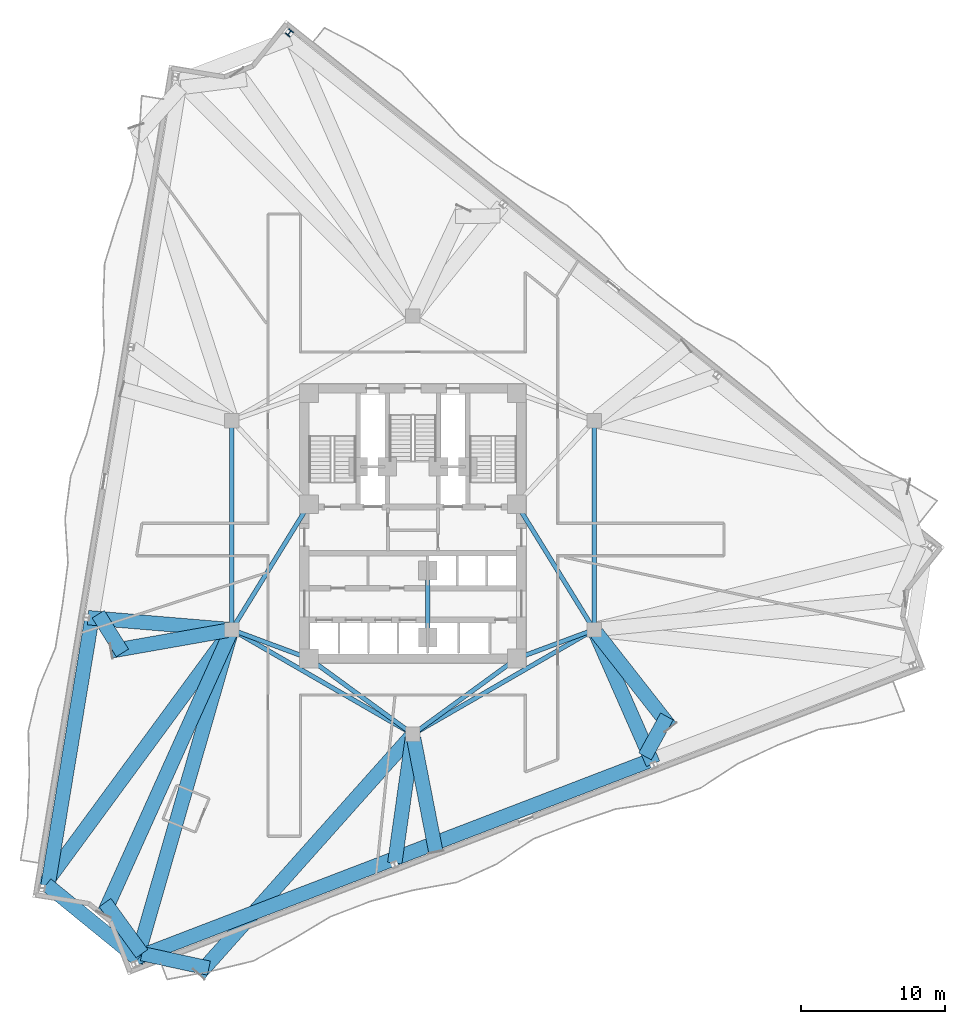
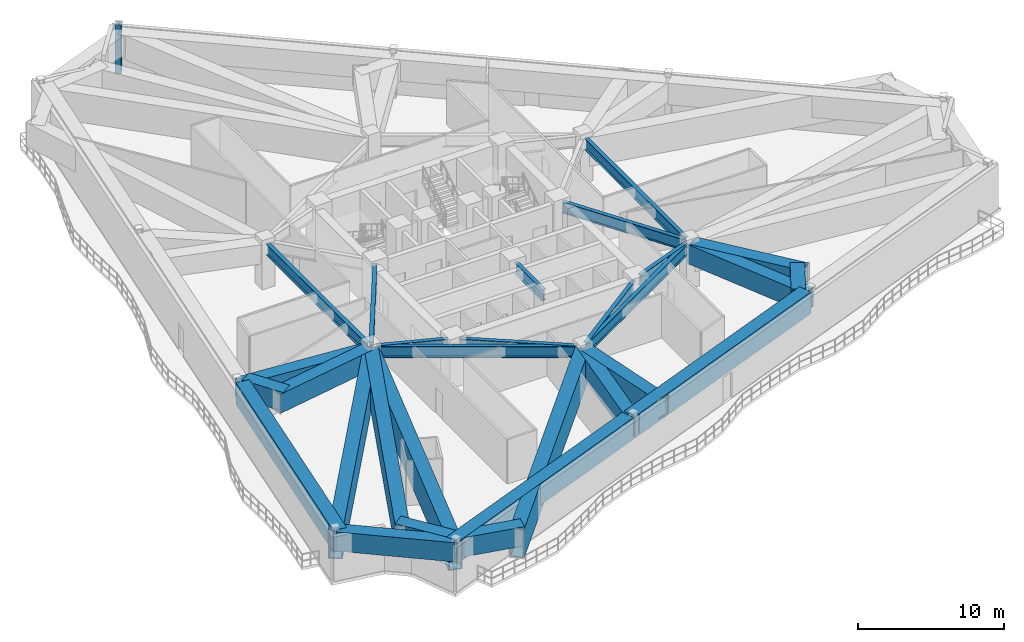
# One storey, part 2 of 14: 29 beams, 1 column.
"""IFC4 building model written with IfcOpenShell, lengths in metres."""

from ifc_helpers import new_model, si_unit, direction, frame, origin, origin_2d, place, context, subcontext, project, spatial, hollow_rectangle, i_section, extrude, material, material_profile, profile_set, type_object, element, save


model = new_model("IFC4")

# Units and contexts
model_context = context("Model", 3, precision=1e-05, world=origin(), true_north=direction((0.0, 1.0)))
body_context = subcontext(model_context, "Body", "Model", "MODEL_VIEW")
ifc_project = project(units=[si_unit("LENGTHUNIT", "METRE"), si_unit("AREAUNIT", "SQUARE_METRE"), si_unit("VOLUMEUNIT", "CUBIC_METRE"), si_unit("PLANEANGLEUNIT", "RADIAN"), si_unit("MASSUNIT", "GRAM", prefix="KILO")], contexts=[model_context])

# Site, building, storey
site_placement = place(None, origin())
site = spatial("IfcSite", under=ifc_project, at=site_placement, CompositionType="ELEMENT")
building_placement = place(site_placement, origin())
building = spatial("IfcBuilding", under=site, at=building_placement, Name="Apsidion Concourse Tower", CompositionType="ELEMENT")
storey_placement = place(building_placement, frame((0.0, 0.0, 156.800048828125)))
storey = spatial("IfcBuildingStorey", under=building, at=storey_placement, Name="L36", CompositionType="ELEMENT", Elevation=156.800048828125)

# Column
ifc_material_1 = material(Name="Structural steel ASTM A992 Grade 50", Category="steel")
ifc_material_profile_1 = material_profile(ifc_material_1, i_section(OverallWidth=0.410888671875, OverallDepth=0.43408203125, WebThickness=0.035888671875, FlangeThickness=0.057373046875, at=origin_2d()), Name="W14X311")
ifc_profile_set_1 = profile_set([ifc_material_profile_1], Name="Structural steel ASTM A992 Grade 50")
column_type = type_object("IfcColumnType", Name="COL-W14-311", PredefinedType="COLUMN", material=ifc_profile_set_1)
column_placement = place(storey_placement, frame((-8.565185546875, 34.1376953125, 0.0), z_axis=(0.0, 0.0, 1.0), x_axis=(-0.780757676633, 0.624833938242, 0.0)))
element("IfcColumn", 1, at=column_placement, inside=storey, type_object=column_type, Name="L36 Rotated Perimeter Column PC12", PredefinedType="COLUMN", context=body_context, shape_type="SweptSolid", body=[
    extrude(i_section(OverallWidth=0.410888671875, OverallDepth=0.43408203125, WebThickness=0.035888671875, FlangeThickness=0.057373046875, at=origin_2d()), origin(), (0.0, 0.0, 1.0), 4.099853515625),
])

# Beams
ifc_material_profile_2 = material_profile(ifc_material_1, i_section(OverallWidth=0.31005859375, OverallDepth=0.931884765625, WebThickness=0.02099609375, FlangeThickness=0.034423828125, at=origin_2d()), Name="W36X210")
ifc_profile_set_2 = profile_set([ifc_material_profile_2], Name="Structural steel ASTM A992 Grade 50")
beam_type_1 = type_object("IfcBeamType", Name="BM-G-W36", PredefinedType="USERDEFINED", material=ifc_profile_set_2)
beam_1_placement = place(storey_placement, frame((-12.185302734375, -7.389892578125, 3.23388671875), z_axis=(0.936913021145, -0.349562570664, 0.0), x_axis=(0.349562570664, 0.936913021145, 0.0)))
element("IfcBeam", 2, at=beam_1_placement, inside=storey, type_object=beam_type_1, Name="L36 Core Coupling Girder IC1-SC1", ObjectType="GIRDER", PredefinedType="USERDEFINED", context=body_context, shape_type="SweptSolid", body=[
    extrude(i_section(OverallWidth=0.31005859375, OverallDepth=0.931884765625, WebThickness=0.02099609375, FlangeThickness=0.034423828125, at=origin_2d()), origin(), (0.0, 0.0, 1.0), 4.921142578125),
])
beam_2_placement = place(storey_placement, frame((-12.35009765625, -6.909423828125, 3.23388671875), z_axis=(0.524524009763, 0.851395656074, 0.0), x_axis=(-0.851395656074, 0.524524009763, 0.0)))
element("IfcBeam", 3, at=beam_2_placement, inside=storey, type_object=beam_type_1, Name="L36 Core Coupling Girder IC1-SC6", ObjectType="GIRDER", PredefinedType="USERDEFINED", context=body_context, shape_type="SweptSolid", body=[
    extrude(i_section(OverallWidth=0.31005859375, OverallDepth=0.931884765625, WebThickness=0.02099609375, FlangeThickness=0.034423828125, at=origin_2d()), origin(), (0.0, 0.0, 1.0), 9.41845703125),
])
beam_3_placement = place(storey_placement, frame((12.185302734375, -7.389892578125, 3.23388671875), z_axis=(-0.936913021145, -0.349562570664, 0.0), x_axis=(0.349562570664, -0.936913021145, 0.0)))
element("IfcBeam", 4, at=beam_3_placement, inside=storey, type_object=beam_type_1, Name="L36 Core Coupling Girder IC2-SC2", ObjectType="GIRDER", PredefinedType="USERDEFINED", context=body_context, shape_type="SweptSolid", body=[
    extrude(i_section(OverallWidth=0.31005859375, OverallDepth=0.931884765625, WebThickness=0.02099609375, FlangeThickness=0.034423828125, at=origin_2d()), origin(), (0.0, 0.0, 1.0), 4.921142578125),
])
beam_4_placement = place(storey_placement, frame((12.35009765625, -6.909423828125, 3.23388671875), z_axis=(-0.524524009763, 0.851395656074, 0.0), x_axis=(-0.851395656074, -0.524524009763, 0.0)))
element("IfcBeam", 5, at=beam_4_placement, inside=storey, type_object=beam_type_1, Name="L36 Core Coupling Girder IC2-SC3", ObjectType="GIRDER", PredefinedType="USERDEFINED", context=body_context, shape_type="SweptSolid", body=[
    extrude(i_section(OverallWidth=0.31005859375, OverallDepth=0.931884765625, WebThickness=0.02099609375, FlangeThickness=0.034423828125, at=origin_2d()), origin(), (0.0, 0.0, 1.0), 9.41845703125),
])
for number, where, z_axis, x_axis, name in (
    (6, (-0.3232421875, -14.264404296875, 3.23388671875), (-0.807993498909, 0.589191399905, 0.0), (-0.589191399905, -0.807993498909, 0.0), "L36 Core Coupling Girder IC6-SC1"),
    (7, (0.3232421875, -14.264404296875, 3.23388671875), (0.807993498909, 0.589191399905, 0.0), (-0.589191399905, 0.807993498909, 0.0), "L36 Core Coupling Girder IC6-SC2"),
):
    element("IfcBeam", number, at=place(storey_placement, frame(where, z_axis=z_axis, x_axis=x_axis)), inside=storey, type_object=beam_type_1, Name=name, ObjectType="GIRDER", PredefinedType="USERDEFINED", context=body_context, shape_type="SweptSolid", body=[
        extrude(i_section(OverallWidth=0.31005859375, OverallDepth=0.931884765625, WebThickness=0.02099609375, FlangeThickness=0.034423828125, at=origin_2d()), origin(), (0.0, 0.0, 1.0), 8.11083984375),
    ])
for number, where, z_axis, x_axis, name in (
    (8, (-12.56005859375, -6.85009765625, 3.23388671875), (0.0, 1.0, 0.0), (-1.0, 0.0, 0.0), "L36 Core Coupling Girder IC1-IC5"),
    (9, (12.56005859375, 6.85009765625, 3.23388671875), (0.0, -1.0, 0.0), (1.0, 0.0, 0.0), "L36 Core Coupling Girder IC3-IC2"),
):
    element("IfcBeam", number, at=place(storey_placement, frame(where, z_axis=z_axis, x_axis=x_axis)), inside=storey, type_object=beam_type_1, Name=name, ObjectType="GIRDER", PredefinedType="USERDEFINED", context=body_context, shape_type="SweptSolid", body=[
        extrude(i_section(OverallWidth=0.31005859375, OverallDepth=0.931884765625, WebThickness=0.02099609375, FlangeThickness=0.034423828125, at=origin_2d()), origin(), (0.0, 0.0, 1.0), 13.7001953125),
    ])
for number, where, z_axis, x_axis, name in (
    (10, (12.213623046875, -7.449951171875, 3.23388671875), (-0.866070471464, -0.499921932364, 0.0), (0.499921932364, -0.866070471464, 0.0), "L36 Core Coupling Girder IC2-IC6"),
    (11, (-0.346435546875, -14.300048828125, 3.23388671875), (-0.866070471464, 0.499921932364, 0.0), (-0.499921932364, -0.866070471464, 0.0), "L36 Core Coupling Girder IC6-IC1"),
):
    element("IfcBeam", number, at=place(storey_placement, frame(where, z_axis=z_axis, x_axis=x_axis)), inside=storey, type_object=beam_type_1, Name=name, ObjectType="GIRDER", PredefinedType="USERDEFINED", context=body_context, shape_type="SweptSolid", body=[
        extrude(i_section(OverallWidth=0.31005859375, OverallDepth=0.931884765625, WebThickness=0.02099609375, FlangeThickness=0.034423828125, at=origin_2d()), origin(), (0.0, 0.0, 1.0), 13.702392578125),
    ])
beam_5_placement = place(storey_placement, frame((1.02490234375, -3.550048828125, 3.23388671875), z_axis=(0.0, -1.0, 0.0), x_axis=(1.0, 0.0, 0.0)))
element("IfcBeam", 12, at=beam_5_placement, inside=storey, type_object=beam_type_1, Name="L36 Core Coupling Girder CC5-CC6", ObjectType="GIRDER", PredefinedType="USERDEFINED", context=body_context, shape_type="SweptSolid", body=[
    extrude(i_section(OverallWidth=0.31005859375, OverallDepth=0.931884765625, WebThickness=0.02099609375, FlangeThickness=0.034423828125, at=origin_2d()), origin(), (0.0, 0.0, 1.0), 3.849853515625),
])
ifc_material_2 = material(Name="Structural steel ASTM A572 Grade 50", Category="steel")
ifc_material_profile_3 = material_profile(ifc_material_2, hollow_rectangle(XDim=1.0, YDim=1.60009765625, WallThickness=0.074951171875, at=origin_2d()), Name="BOX1600X1000X75")
ifc_profile_set_3 = profile_set([ifc_material_profile_3], Name="Structural steel ASTM A572 Grade 50")
beam_type_2 = type_object("IfcBeamType", Name="BM-TR-1600", PredefinedType="USERDEFINED", material=ifc_profile_set_3)
beam_6_placement = place(storey_placement, frame((-25.418701171875, -24.918212890625, 2.89990234375), z_axis=(0.775347437512, -0.631534916805, 0.0), x_axis=(0.631534916805, 0.775347437512, 0.0)))
element("IfcBeam", 13, at=beam_6_placement, inside=storey, type_object=beam_type_2, Name="L36 Perimeter Spandrel Girder SP-04", ObjectType="GIRDER", PredefinedType="USERDEFINED", context=body_context, shape_type="SweptSolid", body=[
    extrude(hollow_rectangle(XDim=1.0, YDim=1.60009765625, WallThickness=0.074951171875, at=origin_2d()), origin(), (0.0, 0.0, 1.0), 8.189453125),
])
beam_7_placement = place(storey_placement, frame((-12.779296875, -7.231689453125, 2.89990234375), z_axis=(-0.996528374011, 0.083253827489, 0.0), x_axis=(-0.083253827489, -0.996528374011, 0.0)))
element("IfcBeam", 14, at=beam_7_placement, inside=storey, type_object=beam_type_2, Name="L36 Radial Floor Girder RAD-03", ObjectType="GIRDER", PredefinedType="USERDEFINED", context=body_context, shape_type="SweptSolid", body=[
    extrude(hollow_rectangle(XDim=1.0, YDim=1.60009765625, WallThickness=0.074951171875, at=origin_2d()), origin(), (0.0, 0.0, 1.0), 9.79443359375),
])
beam_8_placement = place(storey_placement, frame((-0.03076171875, -14.7177734375, 2.89990234375), z_axis=(-0.139728877642, -0.990189800368, 0.0), x_axis=(0.990189800368, -0.139728877642, 0.0)))
element("IfcBeam", 15, at=beam_8_placement, inside=storey, type_object=beam_type_2, Name="L36 Radial Floor Girder RAD-06", ObjectType="GIRDER", PredefinedType="USERDEFINED", context=body_context, shape_type="SweptSolid", body=[
    extrude(hollow_rectangle(XDim=1.0, YDim=1.60009765625, WallThickness=0.074951171875, at=origin_2d()), origin(), (0.0, 0.0, 1.0), 8.80615234375),
])
beam_9_placement = place(storey_placement, frame((12.648681640625, -7.451416015625, 2.89990234375), z_axis=(0.403246465544, -0.915091409656, 0.0), x_axis=(0.915091409656, 0.403246465544, 0.0)))
element("IfcBeam", 16, at=beam_9_placement, inside=storey, type_object=beam_type_2, Name="L36 Radial Floor Girder RAD-07", ObjectType="GIRDER", PredefinedType="USERDEFINED", context=body_context, shape_type="SweptSolid", body=[
    extrude(hollow_rectangle(XDim=1.0, YDim=1.60009765625, WallThickness=0.074951171875, at=origin_2d()), origin(), (0.0, 0.0, 1.0), 9.93896484375),
])
beam_10_placement = place(storey_placement, frame((-12.85546875, -7.302001953125, 2.89990234375), z_axis=(-0.984797084032, -0.173708673595, 0.0), x_axis=(0.173708673595, -0.984797084032, 0.0)))
element("IfcBeam", 17, at=beam_10_placement, inside=storey, type_object=beam_type_2, Name="L36 Block-Step Radial Transfer Girder NTR-03", ObjectType="GIRDER", PredefinedType="USERDEFINED", context=body_context, shape_type="SweptSolid", body=[
    extrude(hollow_rectangle(XDim=1.0, YDim=1.60009765625, WallThickness=0.074951171875, at=origin_2d()), origin(), (0.0, 0.0, 1.0), 8.175537109375),
])
beam_11_placement = place(storey_placement, frame((-21.82177734375, -6.176513671875, 2.89990234375), z_axis=(0.529471799061, -0.848327539338, 0.0), x_axis=(0.848327539338, 0.529471799061, 0.0)))
element("IfcBeam", 18, at=beam_11_placement, inside=storey, type_object=beam_type_2, Name="L36 Block-Step Perimeter Transfer Bridge NBR-03", ObjectType="GIRDER", PredefinedType="USERDEFINED", context=body_context, shape_type="SweptSolid", body=[
    extrude(hollow_rectangle(XDim=1.0, YDim=1.60009765625, WallThickness=0.074951171875, at=origin_2d()), origin(), (0.0, 0.0, 1.0), 3.16455078125),
])
beam_12_placement = place(storey_placement, frame((-18.79296875, -29.716796875, 2.89990234375), z_axis=(-0.58558449364, 0.810611374709, 0.0), x_axis=(-0.810611374709, -0.58558449364, 0.0)))
element("IfcBeam", 19, at=beam_12_placement, inside=storey, type_object=beam_type_2, Name="L36 Block-Step Perimeter Transfer Bridge NBR-04", ObjectType="GIRDER", PredefinedType="USERDEFINED", context=body_context, shape_type="SweptSolid", body=[
    extrude(hollow_rectangle(XDim=1.0, YDim=1.60009765625, WallThickness=0.074951171875, at=origin_2d()), origin(), (0.0, 0.0, 1.0), 4.36474609375),
])
beam_13_placement = place(storey_placement, frame((-18.79296875, -29.716796875, 2.89990234375), z_axis=(0.977407277854, -0.211364645098, 0.0), x_axis=(0.211364645098, 0.977407277854, 0.0)))
element("IfcBeam", 20, at=beam_13_placement, inside=storey, type_object=beam_type_2, Name="L36 Block-Step Perimeter Transfer Bridge NBR-05", ObjectType="GIRDER", PredefinedType="USERDEFINED", context=body_context, shape_type="SweptSolid", body=[
    extrude(hollow_rectangle(XDim=1.0, YDim=1.60009765625, WallThickness=0.074951171875, at=origin_2d()), origin(), (0.0, 0.0, 1.0), 4.749755859375),
])
beam_14_placement = place(storey_placement, frame((0.057373046875, -14.79443359375, 2.89990234375), z_axis=(0.191194801522, -0.981552111643, 0.0), x_axis=(0.981552111643, 0.191194801522, 0.0)))
element("IfcBeam", 21, at=beam_14_placement, inside=storey, type_object=beam_type_2, Name="L36 Block-Step Radial Transfer Girder NTR-06", ObjectType="GIRDER", PredefinedType="USERDEFINED", context=body_context, shape_type="SweptSolid", body=[
    extrude(hollow_rectangle(XDim=1.0, YDim=1.60009765625, WallThickness=0.074951171875, at=origin_2d()), origin(), (0.0, 0.0, 1.0), 7.99853515625),
])
beam_15_placement = place(storey_placement, frame((12.7451171875, -7.486083984375, 2.89990234375), z_axis=(0.61683972406, -0.787088784587, 0.0), x_axis=(0.787088784587, 0.61683972406, 0.0)))
element("IfcBeam", 22, at=beam_15_placement, inside=storey, type_object=beam_type_2, Name="L36 Block-Step Radial Transfer Girder NTR-07", ObjectType="GIRDER", PredefinedType="USERDEFINED", context=body_context, shape_type="SweptSolid", body=[
    extrude(hollow_rectangle(XDim=1.0, YDim=1.60009765625, WallThickness=0.074951171875, at=origin_2d()), origin(), (0.0, 0.0, 1.0), 8.284423828125),
])
beam_16_placement = place(storey_placement, frame((16.094482421875, -16.037841796875, 2.89990234375), z_axis=(0.480358558287, 0.877072206537, 0.0), x_axis=(-0.877072206537, 0.480358558287, 0.0)))
element("IfcBeam", 23, at=beam_16_placement, inside=storey, type_object=beam_type_2, Name="L36 Block-Step Perimeter Transfer Bridge NBR-07", ObjectType="GIRDER", PredefinedType="USERDEFINED", context=body_context, shape_type="SweptSolid", body=[
    extrude(hollow_rectangle(XDim=1.0, YDim=1.60009765625, WallThickness=0.074951171875, at=origin_2d()), origin(), (0.0, 0.0, 1.0), 3.1552734375),
])
ifc_material_profile_4 = material_profile(ifc_material_2, hollow_rectangle(XDim=1.0, YDim=1.800048828125, WallThickness=0.080078125, at=origin_2d()), Name="BOX1800X1000X80")
ifc_profile_set_4 = profile_set([ifc_material_profile_4], Name="Structural steel ASTM A572 Grade 50")
beam_type_3 = type_object("IfcBeamType", Name="BM-TR-1800", PredefinedType="USERDEFINED", material=ifc_profile_set_4)
beam_17_placement = place(storey_placement, frame((-22.277587890625, -6.548583984375, 2.800048828125), z_axis=(-0.162115019654, -0.986771868469, 0.0), x_axis=(0.986771868469, -0.162115019654, 0.0)))
element("IfcBeam", 24, at=beam_17_placement, inside=storey, type_object=beam_type_3, Name="L36 Perimeter Spandrel Girder SP-03", ObjectType="GIRDER", PredefinedType="USERDEFINED", context=body_context, shape_type="SweptSolid", body=[
    extrude(hollow_rectangle(XDim=1.0, YDim=1.800048828125, WallThickness=0.080078125, at=origin_2d()), origin(), (0.0, 0.0, 1.0), 18.845703125),
])
for number, where, z_axis, x_axis, name in (
    (25, (-19.30859375, -30.0517578125, 2.800048828125), (0.9335823879, 0.358362839875, 0.0), (-0.358362839875, 0.9335823879, 0.0), "L36 Perimeter Spandrel Girder SP-05"),
    (26, (-1.336669921875, -23.153076171875, 2.800048828125), (0.9335823879, 0.358362839875, 0.0), (-0.358362839875, 0.9335823879, 0.0), "L36 Perimeter Spandrel Girder SP-06"),
):
    element("IfcBeam", number, at=place(storey_placement, frame(where, z_axis=z_axis, x_axis=x_axis)), inside=storey, type_object=beam_type_3, Name=name, ObjectType="GIRDER", PredefinedType="USERDEFINED", context=body_context, shape_type="SweptSolid", body=[
        extrude(hollow_rectangle(XDim=1.0, YDim=1.800048828125, WallThickness=0.080078125, at=origin_2d()), origin(), (0.0, 0.0, 1.0), 19.09033203125),
    ])
ifc_material_profile_5 = material_profile(ifc_material_2, hollow_rectangle(XDim=1.0, YDim=2.0, WallThickness=0.080078125, at=origin_2d()), Name="BOX2000X1000X80")
ifc_profile_set_5 = profile_set([ifc_material_profile_5], Name="Structural steel ASTM A572 Grade 50")
beam_type_4 = type_object("IfcBeamType", Name="BM-TR-2000", PredefinedType="USERDEFINED", material=ifc_profile_set_5)
beam_18_placement = place(storey_placement, frame((-12.68310546875, -7.5234375, 2.699951171875), z_axis=(-0.410617316613, -0.91180777541, 0.0), x_axis=(0.91180777541, -0.410617316613, 0.0)))
element("IfcBeam", 27, at=beam_18_placement, inside=storey, type_object=beam_type_4, Name="L36 Block-Step Radial Transfer Girder NTR-04", ObjectType="GIRDER", PredefinedType="USERDEFINED", context=body_context, shape_type="SweptSolid", body=[
    extrude(hollow_rectangle(XDim=1.0, YDim=2.0, WallThickness=0.080078125, at=origin_2d()), origin(), (0.0, 0.0, 1.0), 21.3349609375),
])
ifc_material_profile_6 = material_profile(ifc_material_2, hollow_rectangle(XDim=1.0, YDim=2.39990234375, WallThickness=0.080078125, at=origin_2d()), Name="BOX2400X1000X80")
ifc_profile_set_6 = profile_set([ifc_material_profile_6], Name="Structural steel ASTM A572 Grade 50")
beam_type_5 = type_object("IfcBeamType", Name="BM-TR-2400", PredefinedType="USERDEFINED", material=ifc_profile_set_6)
beam_19_placement = place(storey_placement, frame((-12.690185546875, -7.42724609375, 2.5), z_axis=(-0.592104054542, -0.80586151949, 0.0), x_axis=(0.80586151949, -0.592104054542, 0.0)))
element("IfcBeam", 28, at=beam_19_placement, inside=storey, type_object=beam_type_5, Name="L36 Radial Floor Girder RAD-04", ObjectType="GIRDER", PredefinedType="USERDEFINED", context=body_context, shape_type="SweptSolid", body=[
    extrude(hollow_rectangle(XDim=1.0, YDim=2.39990234375, WallThickness=0.080078125, at=origin_2d()), origin(), (0.0, 0.0, 1.0), 21.907470703125),
])
beam_20_placement = place(storey_placement, frame((-12.62109375, -7.46142578125, 2.5), z_axis=(-0.277124061606, -0.960834145146, 0.0), x_axis=(0.960834145146, -0.277124061606, 0.0)))
element("IfcBeam", 29, at=beam_20_placement, inside=storey, type_object=beam_type_5, Name="L36 Radial Floor Girder RAD-05", ObjectType="GIRDER", PredefinedType="USERDEFINED", context=body_context, shape_type="SweptSolid", body=[
    extrude(hollow_rectangle(XDim=1.0, YDim=2.39990234375, WallThickness=0.080078125, at=origin_2d()), origin(), (0.0, 0.0, 1.0), 23.810302734375),
])
beam_21_placement = place(storey_placement, frame((-0.19970703125, -14.723876953125, 2.5), z_axis=(-0.66553193748, -0.746369372492, 0.0), x_axis=(0.746369372492, -0.66553193748, 0.0)))
element("IfcBeam", 30, at=beam_21_placement, inside=storey, type_object=beam_type_5, Name="L36 Block-Step Radial Transfer Girder NTR-05", ObjectType="GIRDER", PredefinedType="USERDEFINED", context=body_context, shape_type="SweptSolid", body=[
    extrude(hollow_rectangle(XDim=1.0, YDim=2.39990234375, WallThickness=0.080078125, at=origin_2d()), origin(), (0.0, 0.0, 1.0), 21.986572265625),
])

save(model, "model.ifc")
